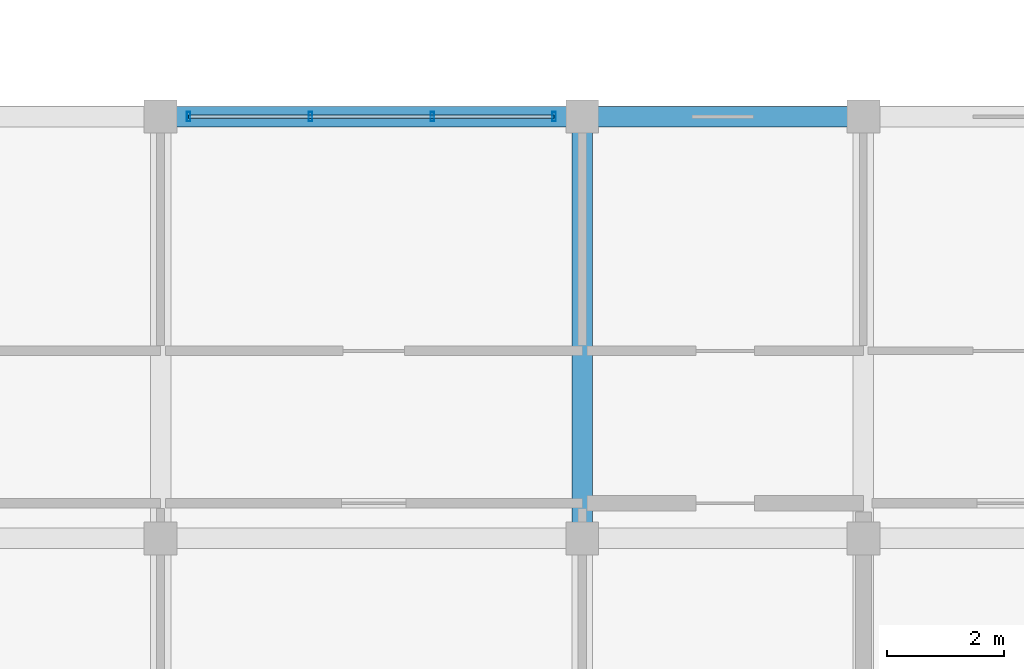
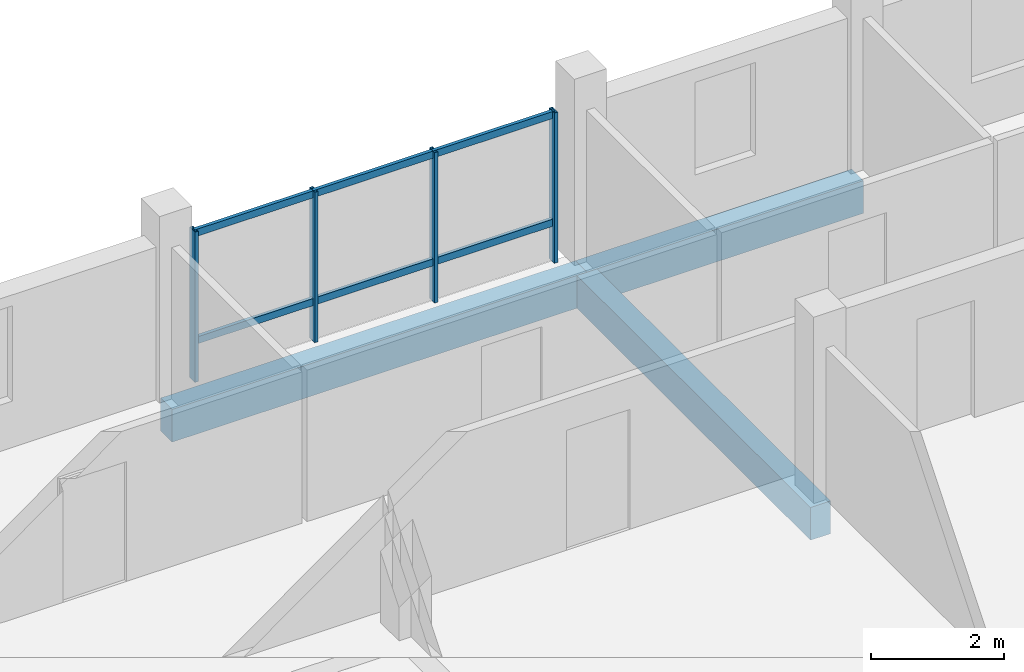
# One storey, part 6 of 66: 6 members, 3 beams, 1 element without a shape of its own.
"""IFC4 building model written with IfcOpenShell, lengths in metres."""

from ifc_helpers import new_model, si_unit, direction, frame, origin, origin_2d, place, context, subcontext, project, spatial, rectangle, hollow_rectangle, extrude, material, material_profile, profile_set, type_object, element, aggregate, save


model = new_model("IFC4")

# Units and contexts
model_context = context("Model", 3, precision=1e-05, world=origin(), true_north=direction((0.0, 1.0)))
body_context = subcontext(model_context, "Body", "Model", "MODEL_VIEW")
ifc_project = project(units=[si_unit("LENGTHUNIT", "METRE"), si_unit("AREAUNIT", "SQUARE_METRE"), si_unit("VOLUMEUNIT", "CUBIC_METRE"), si_unit("PLANEANGLEUNIT", "RADIAN"), si_unit("MASSUNIT", "GRAM", prefix="KILO")], contexts=[model_context])

# Site, building, storey
site_placement = place(None, origin())
site = spatial("IfcSite", under=ifc_project, at=site_placement, CompositionType="ELEMENT")
building_placement = place(site_placement, origin())
building = spatial("IfcBuilding", under=site, at=building_placement, Name="Zornivar Specialist Clinic", CompositionType="ELEMENT")
storey_placement = place(building_placement, frame((0.0, 0.0, 16.0)))
storey = spatial("IfcBuildingStorey", under=building, at=storey_placement, Name="L04", CompositionType="ELEMENT", Elevation=16.0)

# Beams
ifc_material_1 = material(Name="Concrete C30/37", Category="concrete")
ifc_material_profile_1 = material_profile(ifc_material_1, rectangle(XDim=0.35009765625, YDim=0.60009765625, at=origin_2d()), Name="RC 350x600")
ifc_profile_set_1 = profile_set([ifc_material_profile_1], Name="Concrete C30/37")
beam_type = type_object("IfcBeamType", Name="BM-RC-350x600", PredefinedType="BEAM", material=ifc_profile_set_1)
beam_1_placement = place(storey_placement, frame((21.60009765625, 14.39990234375, -0.580078125), z_axis=(1.0, 0.0, 0.0), x_axis=(0.0, 1.0, 0.0)))
element("IfcBeam", 1, at=beam_1_placement, inside=storey, type_object=beam_type, Name="bm:V2:L04:x:144:3", PredefinedType="BEAM", context=body_context, shape_type="SweptSolid", body=[
    extrude(rectangle(XDim=0.35009765625, YDim=0.60009765625, at=origin_2d()), origin(), (0.0, 0.0, 1.0), 7.199951171875),
])
beam_2_placement = place(storey_placement, frame((28.800048828125, 14.39990234375, -0.580078125), z_axis=(1.0, 0.0, 0.0), x_axis=(0.0, 1.0, 0.0)))
element("IfcBeam", 2, at=beam_2_placement, inside=storey, type_object=beam_type, Name="bm:V2:L04:x:144:4", PredefinedType="BEAM", context=body_context, shape_type="SweptSolid", body=[
    extrude(rectangle(XDim=0.35009765625, YDim=0.60009765625, at=origin_2d()), origin(), (0.0, 0.0, 1.0), 4.800048828125),
])
beam_3_placement = place(storey_placement, frame((28.800048828125, 7.199951171875, -0.580078125), z_axis=(0.0, 1.0, 0.0), x_axis=(-1.0, 0.0, 0.0)))
element("IfcBeam", 3, at=beam_3_placement, inside=storey, type_object=beam_type, Name="bm:V2:L04:y:288:1", PredefinedType="BEAM", context=body_context, shape_type="SweptSolid", body=[
    extrude(rectangle(XDim=0.35009765625, YDim=0.60009765625, at=origin_2d()), origin(), (0.0, 0.0, 1.0), 7.199951171875),
])

# Curtain wall, members
ifc_material_2 = material(Name="Aluminium and Low-E Glass Curtain Wall", Category="aluminium")
curtain_wall_type = type_object("IfcCurtainWallType", Name="CW-REVAK-COURT", PredefinedType="NOTDEFINED", material=ifc_material_2)
curtain_wall_placement = place(storey_placement, origin())
curtain_wall = element("IfcCurtainWall", 4, at=curtain_wall_placement, inside=storey, type_object=curtain_wall_type, Name="cw:V2:L04:10", PredefinedType="NOTDEFINED")
ifc_material_3 = material(Name="Aluminium AW-6060", Category="aluminium")
ifc_material_profile_2 = material_profile(ifc_material_3, hollow_rectangle(XDim=0.06005859375, YDim=0.159912109375, WallThickness=0.00390625, at=origin_2d()), Name="ALU 60x160x4")
ifc_profile_set_2 = profile_set([ifc_material_profile_2], Name="Aluminium AW-6060")
member_type_1 = type_object("IfcMemberType", Name="CWM-MUL-160", PredefinedType="MULLION", material=ifc_profile_set_2)
member_1_placement = place(storey_placement, frame((28.320068359375, 14.39990234375, 0.0), z_axis=(0.0, 0.0, 1.0), x_axis=(1.0, 0.0, 0.0)))
member_1 = element("IfcMember", 5, at=member_1_placement, type_object=member_type_1, Name="cw:V2:L04:10:mul:0", PredefinedType="MULLION", context=body_context, shape_type="SweptSolid", body=[
    extrude(hollow_rectangle(XDim=0.06005859375, YDim=0.159912109375, WallThickness=0.00390625, at=origin_2d()), origin(), (0.0, 0.0, 1.0), 2.760009765625),
])
member_2_placement = place(storey_placement, frame((26.239990234375, 14.39990234375, 0.0), z_axis=(0.0, 0.0, 1.0), x_axis=(1.0, 0.0, 0.0)))
member_2 = element("IfcMember", 6, at=member_2_placement, type_object=member_type_1, Name="cw:V2:L04:10:mul:1", PredefinedType="MULLION", context=body_context, shape_type="SweptSolid", body=[
    extrude(hollow_rectangle(XDim=0.06005859375, YDim=0.159912109375, WallThickness=0.00390625, at=origin_2d()), origin(), (0.0, 0.0, 1.0), 2.760009765625),
])
member_3_placement = place(storey_placement, frame((24.159912109375, 14.39990234375, 0.0), z_axis=(0.0, 0.0, 1.0), x_axis=(1.0, 0.0, 0.0)))
member_3 = element("IfcMember", 7, at=member_3_placement, type_object=member_type_1, Name="cw:V2:L04:10:mul:2", PredefinedType="MULLION", context=body_context, shape_type="SweptSolid", body=[
    extrude(hollow_rectangle(XDim=0.06005859375, YDim=0.159912109375, WallThickness=0.00390625, at=origin_2d()), origin(), (0.0, 0.0, 1.0), 2.760009765625),
])
member_4_placement = place(storey_placement, frame((22.080078125, 14.39990234375, 0.0), z_axis=(0.0, 0.0, 1.0), x_axis=(1.0, 0.0, 0.0)))
member_4 = element("IfcMember", 8, at=member_4_placement, type_object=member_type_1, Name="cw:V2:L04:10:mul:3", PredefinedType="MULLION", context=body_context, shape_type="SweptSolid", body=[
    extrude(hollow_rectangle(XDim=0.06005859375, YDim=0.159912109375, WallThickness=0.00390625, at=origin_2d()), origin(), (0.0, 0.0, 1.0), 2.760009765625),
])
ifc_material_4 = material(Name="Aluminium AW-6060", Category="aluminium")
ifc_material_profile_3 = material_profile(ifc_material_4, hollow_rectangle(XDim=0.06005859375, YDim=0.1298828125, WallThickness=0.00390625, at=origin_2d()), Name="ALU 60x130x4")
ifc_profile_set_3 = profile_set([ifc_material_profile_3], Name="Aluminium AW-6060")
member_type_2 = type_object("IfcMemberType", Name="CWM-TRN-130", PredefinedType="USERDEFINED", material=ifc_profile_set_3)
member_5_placement = place(storey_placement, frame((28.320068359375, 14.39990234375, 0.718017578125), z_axis=(-1.0, 0.0, 0.0), x_axis=(0.0, -1.0, 0.0)))
member_5 = element("IfcMember", 9, at=member_5_placement, type_object=member_type_2, Name="cw:V2:L04:10:trn:0", ObjectType="TRANSOM", PredefinedType="USERDEFINED", context=body_context, shape_type="SweptSolid", body=[
    extrude(hollow_rectangle(XDim=0.06005859375, YDim=0.1298828125, WallThickness=0.00390625, at=origin_2d()), origin(), (0.0, 0.0, 1.0), 6.239990234375),
])
member_6_placement = place(storey_placement, frame((28.320068359375, 14.39990234375, 2.695068359375), z_axis=(-1.0, 0.0, 0.0), x_axis=(0.0, -1.0, 0.0)))
member_6 = element("IfcMember", 10, at=member_6_placement, type_object=member_type_2, Name="cw:V2:L04:10:trn:1", ObjectType="TRANSOM", PredefinedType="USERDEFINED", context=body_context, shape_type="SweptSolid", body=[
    extrude(hollow_rectangle(XDim=0.06005859375, YDim=0.1298828125, WallThickness=0.00390625, at=origin_2d()), origin(), (0.0, 0.0, 1.0), 6.239990234375),
])
aggregate(curtain_wall, [member_1, member_2, member_3, member_4, member_5, member_6])

save(model, "model.ifc")
